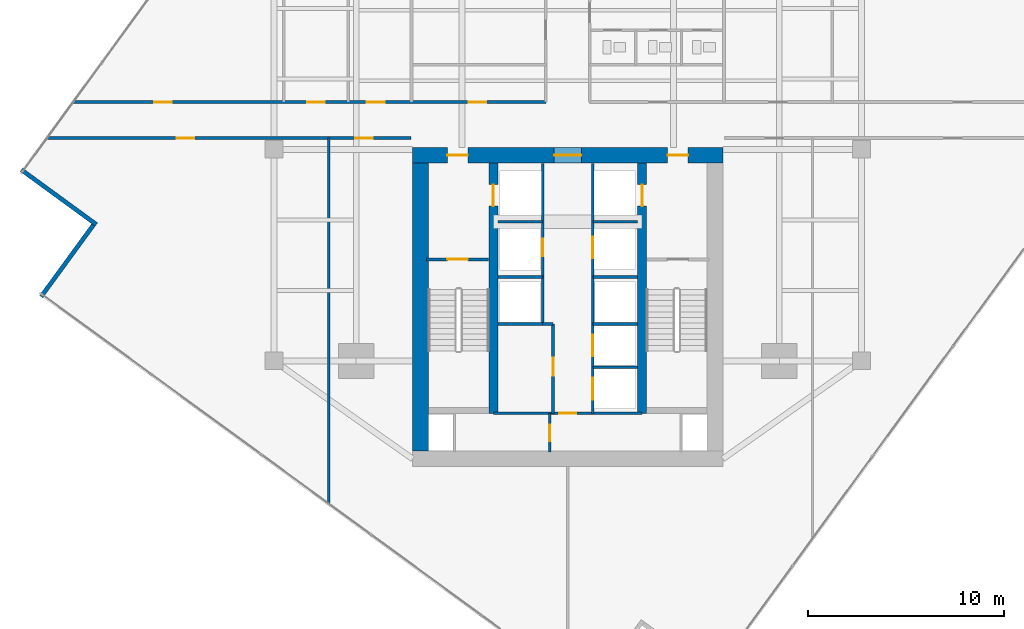
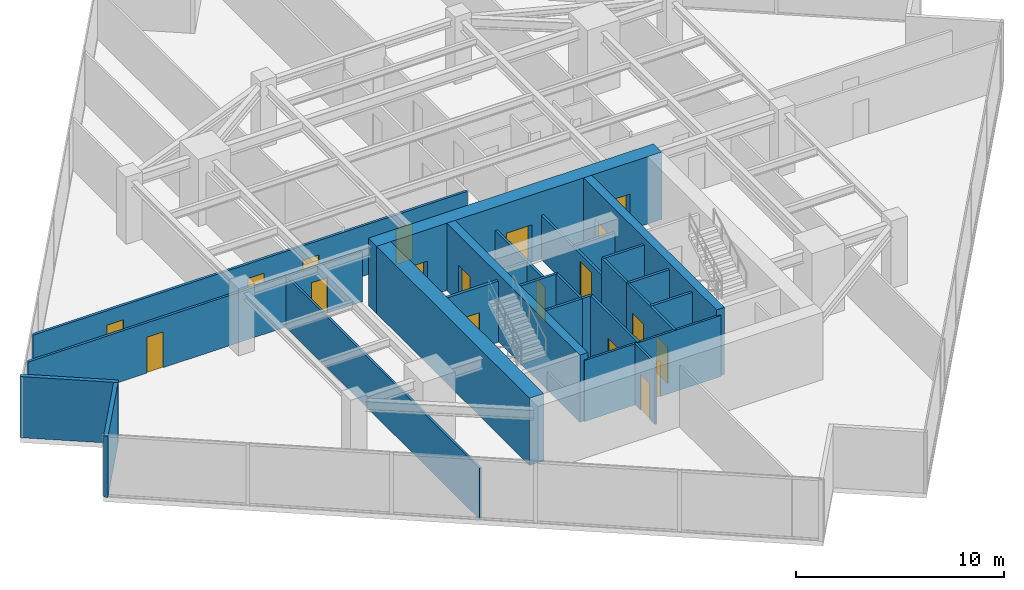
# One storey, part 21 of 25: 26 walls, 19 doors, 19 openings.
"""IFC4 building model written with IfcOpenShell, lengths in metres."""

from ifc_helpers import new_model, si_unit, direction, frame, frame_2d, origin, place, context, subcontext, project, spatial, rectangle, extrude, material, layer, layer_set, type_object, element, fill, save


model = new_model("IFC4")

# Units and contexts
model_context = context("Model", 3, precision=1e-05, world=origin(), true_north=direction((0.0, 1.0)))
body_context = subcontext(model_context, "Body", "Model", "MODEL_VIEW")
ifc_project = project(units=[si_unit("LENGTHUNIT", "METRE"), si_unit("AREAUNIT", "SQUARE_METRE"), si_unit("VOLUMEUNIT", "CUBIC_METRE"), si_unit("PLANEANGLEUNIT", "RADIAN"), si_unit("MASSUNIT", "GRAM", prefix="KILO")], contexts=[model_context])

# Site, building, storey
site_placement = place(None, origin())
site = spatial("IfcSite", under=ifc_project, at=site_placement, CompositionType="ELEMENT")
building_placement = place(site_placement, origin())
building = spatial("IfcBuilding", under=site, at=building_placement, Name="Krantzveldt Concourse Tower", CompositionType="ELEMENT")
storey_placement = place(building_placement, frame((0.0, 0.0, 197.550048828125)))
storey = spatial("IfcBuildingStorey", under=building, at=storey_placement, Name="L48", CompositionType="ELEMENT", Elevation=197.550048828125)

# Walls
ifc_material_1 = material(Name="Anodised aluminium 6063-T6", Category="aluminium")
ifc_layer_1 = layer(ifc_material_1, 0.219970703125, Name="Anodised aluminium 6063-T6", Category="aluminium")
ifc_layer_set_1 = layer_set([ifc_layer_1], Name="Anodised aluminium 6063-T6 (WL-EXT-NOTCH220)")
wall_type_1 = type_object("IfcWallType", Name="WL-EXT-NOTCH220", PredefinedType="ELEMENTEDWALL", material=ifc_layer_set_1)
wall_1_placement = place(storey_placement, frame((8.09716796875, 25.66015625, 0.0), z_axis=(0.0, 0.0, 1.0), x_axis=(0.807742607871, -0.589535308044, 0.0)))
element("IfcWall", 1, at=wall_1_placement, inside=storey, type_object=wall_type_1, Name="EW-L48-NCH02", PredefinedType="ELEMENTEDWALL", context=body_context, shape_type="SweptSolid", body=[
    extrude(rectangle(XDim=4.7451171875, YDim=0.219970703125, at=frame_2d((2.37255859375, 0.0))), origin(), (0.0, 0.0, 1.0), 3.58984375),
])
wall_2_placement = place(storey_placement, frame((11.776123046875, 22.8388671875, 0.0), z_axis=(0.0, 0.0, 1.0), x_axis=(-0.589547091209, -0.807734007732, 0.0)))
element("IfcWall", 2, at=wall_2_placement, inside=storey, type_object=wall_type_1, Name="EW-L48-NCH03", PredefinedType="ELEMENTEDWALL", context=body_context, shape_type="SweptSolid", body=[
    extrude(rectangle(XDim=4.525146484375, YDim=0.219970703125, at=frame_2d((2.2626953125, 0.0))), origin(), (0.0, 0.0, 1.0), 3.58984375),
])

# Wall, opening, door
ifc_material_2 = material(Name="Fire-rated gypsum plasterboard on steel stud", Category="steel")
ifc_layer_2 = layer(ifc_material_2, 0.1201171875, Name="Fire-rated gypsum plasterboard on steel stud", Category="steel")
ifc_layer_set_2 = layer_set([ifc_layer_2], Name="Fire-rated gypsum plasterboard on steel stud (WL-PART-120)")
wall_type_2 = type_object("IfcWallType", Name="WL-PART-120", PredefinedType="PARTITIONING", material=ifc_layer_set_2)
wall_3_placement = place(storey_placement, frame((32.2099609375, 13.219970703125, 0.0), z_axis=(0.0, 0.0, 1.0), x_axis=(1.0, 0.0, 0.0)))
wall_3 = element("IfcWall", 3, at=wall_3_placement, inside=storey, type_object=wall_type_2, Name="WP-L48-CS2H", PredefinedType="PARTITIONING", context=body_context, shape_type="SweptSolid", body=[
    extrude(rectangle(XDim=7.580078125, YDim=0.1201171875, at=frame_2d((3.7900390625, 0.0))), origin(), (0.0, 0.0, 1.0), 3.58984375),
])
opening_1_placement = place(wall_3_placement, frame((3.364990234375, 0.0, 0.0)))
opening_1 = element("IfcOpeningElement", 4, at=opening_1_placement, cuts=wall_3, Name="Opening D-IN085", PredefinedType="OPENING", context=body_context, shape_type="SweptSolid", body=[
    extrude(rectangle(XDim=0.85009765625, YDim=2.10009765625, at=frame_2d((0.425048828125, 1.050048828125))), frame((0.0, 0.070068359375, 0.0), z_axis=(0.0, -1.0, 0.0), x_axis=(1.0, 0.0, 0.0)), (0.0, 0.0, 1.0), 0.14013671875),
])
ifc_material_3 = material(Name="Hardwood timber", Category="wood")
door_type_1 = type_object("IfcDoorType", Name="DR-INT-850", OperationType="SINGLE_SWING_LEFT", PredefinedType="DOOR", material=ifc_material_3)
door_1_placement = place(opening_1_placement, origin())
door_1 = element("IfcDoor", 5, at=door_1_placement, inside=storey, type_object=door_type_1, Name="DR-L48-LLBS", OperationType="SINGLE_SWING_RIGHT", OverallHeight=2.10009765625, OverallWidth=0.85009765625, PredefinedType="DOOR", context=body_context, shape_type="SweptSolid", body=[
    extrude(rectangle(XDim=0.85009765625, YDim=2.10009765625, at=frame_2d((0.425048828125, 1.050048828125))), frame((0.0, 0.02490234375, 0.0), z_axis=(0.0, -1.0, 0.0), x_axis=(1.0, 0.0, 0.0)), (0.0, 0.0, 1.0), 0.050048828125),
])
fill(opening_1, door_1)

wall_4_placement = place(storey_placement, frame((35.080078125, 11.25, 0.0), z_axis=(0.0, 0.0, 1.0), x_axis=(0.0, 1.0, 0.0)))
wall_4 = element("IfcWall", 6, at=wall_4_placement, inside=storey, type_object=wall_type_2, Name="WP-L48-CSA-V", PredefinedType="PARTITIONING", context=body_context, shape_type="SweptSolid", body=[
    extrude(rectangle(XDim=1.969970703125, YDim=0.1201171875, at=frame_2d((0.98486328125, 0.0))), origin(), (0.0, 0.0, 1.0), 3.58984375),
])
opening_2_placement = place(wall_4_placement, frame((0.544921875, 0.0, 0.0)))
opening_2 = element("IfcOpeningElement", 7, at=opening_2_placement, cuts=wall_4, Name="Opening D-IN085", PredefinedType="OPENING", context=body_context, shape_type="SweptSolid", body=[
    extrude(rectangle(XDim=0.85009765625, YDim=2.10009765625, at=frame_2d((0.425048828125, 1.050048828125))), frame((0.0, 0.070068359375, 0.0), z_axis=(0.0, -1.0, 0.0), x_axis=(1.0, 0.0, 0.0)), (0.0, 0.0, 1.0), 0.14013671875),
])
door_2_placement = place(opening_2_placement, origin())
door_2 = element("IfcDoor", 8, at=door_2_placement, inside=storey, type_object=door_type_1, Name="DR-L48-CSA1", OperationType="SINGLE_SWING_LEFT", OverallHeight=2.10009765625, OverallWidth=0.85009765625, PredefinedType="DOOR", context=body_context, shape_type="SweptSolid", body=[
    extrude(rectangle(XDim=0.85009765625, YDim=2.10009765625, at=frame_2d((0.425048828125, 1.050048828125))), frame((0.0, 0.02490234375, 0.0), z_axis=(0.0, -1.0, 0.0), x_axis=(1.0, 0.0, 0.0)), (0.0, 0.0, 1.0), 0.050048828125),
])
fill(opening_2, door_2)

# Wall
wall_5_placement = place(storey_placement, frame((23.800048828125, 8.60302734375, 0.0), z_axis=(0.0, 0.0, 1.0), x_axis=(0.0, 1.0, 0.0)))
element("IfcWall", 9, at=wall_5_placement, inside=storey, type_object=wall_type_2, Name="WP-L48-SWX1", PredefinedType="PARTITIONING", context=body_context, shape_type="SweptSolid", body=[
    extrude(rectangle(XDim=18.677001953125, YDim=0.1201171875, at=frame_2d((9.33837890625, 0.0))), origin(), (0.0, 0.0, 1.0), 3.0),
])

# Wall, openings, doors
ifc_layer_3 = layer(ifc_material_2, 0.139892578125, Name="Fire-rated gypsum plasterboard on steel stud", Category="steel")
ifc_layer_set_3 = layer_set([ifc_layer_3], Name="Fire-rated gypsum plasterboard on steel stud (WL-PART-140)")
wall_type_3 = type_object("IfcWallType", Name="WL-PART-140", PredefinedType="PARTITIONING", material=ifc_layer_set_3)
wall_6_placement = place(storey_placement, frame((10.764892578125, 29.1201171875, 0.0), z_axis=(0.0, 0.0, 1.0), x_axis=(1.0, 0.0, 0.0)))
wall_6 = element("IfcWall", 10, at=wall_6_placement, inside=storey, type_object=wall_type_3, Name="WP-L48-EWNL", PredefinedType="PARTITIONING", context=body_context, shape_type="SweptSolid", body=[
    extrude(rectangle(XDim=24.114990234375, YDim=0.139892578125, at=frame_2d((12.0576171875, 0.0))), origin(), (0.0, 0.0, 1.0), 2.949951171875),
])
opening_3_placement = place(wall_6_placement, frame((20.185302734375, 0.0, 0.0)))
opening_3 = element("IfcOpeningElement", 11, at=opening_3_placement, cuts=wall_6, Name="Opening D-IN090", PredefinedType="OPENING", context=body_context, shape_type="SweptSolid", body=[
    extrude(rectangle(XDim=0.89990234375, YDim=2.10009765625, at=frame_2d((0.449951171875, 1.050048828125))), frame((0.0, 0.080078125, 0.0), z_axis=(0.0, -1.0, 0.0), x_axis=(1.0, 0.0, 0.0)), (0.0, 0.0, 1.0), 0.159912109375),
])
opening_4_placement = place(wall_6_placement, frame((4.115234375, 0.0, 0.0)))
opening_4 = element("IfcOpeningElement", 12, at=opening_4_placement, cuts=wall_6, Name="Opening D-IN090", PredefinedType="OPENING", context=body_context, shape_type="SweptSolid", body=[
    extrude(rectangle(XDim=0.89990234375, YDim=2.10009765625, at=frame_2d((0.449951171875, 1.050048828125))), frame((0.0, 0.080078125, 0.0), z_axis=(0.0, -1.0, 0.0), x_axis=(1.0, 0.0, 0.0)), (0.0, 0.0, 1.0), 0.159912109375),
])
opening_5_placement = place(wall_6_placement, frame((11.935302734375, 0.0, 0.0)))
opening_5 = element("IfcOpeningElement", 13, at=opening_5_placement, cuts=wall_6, Name="Opening D-IN090", PredefinedType="OPENING", context=body_context, shape_type="SweptSolid", body=[
    extrude(rectangle(XDim=0.89990234375, YDim=2.10009765625, at=frame_2d((0.449951171875, 1.050048828125))), frame((0.0, 0.080078125, 0.0), z_axis=(0.0, -1.0, 0.0), x_axis=(1.0, 0.0, 0.0)), (0.0, 0.0, 1.0), 0.159912109375),
])
opening_6_placement = place(wall_6_placement, frame((14.985107421875, 0.0, 0.0)))
opening_6 = element("IfcOpeningElement", 14, at=opening_6_placement, cuts=wall_6, Name="Opening D-IN090", PredefinedType="OPENING", context=body_context, shape_type="SweptSolid", body=[
    extrude(rectangle(XDim=0.89990234375, YDim=2.10009765625, at=frame_2d((0.449951171875, 1.050048828125))), frame((0.0, 0.080078125, 0.0), z_axis=(0.0, -1.0, 0.0), x_axis=(1.0, 0.0, 0.0)), (0.0, 0.0, 1.0), 0.159912109375),
])
door_type_2 = type_object("IfcDoorType", Name="DR-INT-900", OperationType="SINGLE_SWING_LEFT", PredefinedType="DOOR", material=ifc_material_3)
door_3_placement = place(opening_3_placement, origin())
door_3 = element("IfcDoor", 15, at=door_3_placement, inside=storey, type_object=door_type_2, Name="DR-L48-ALCL", OperationType="SINGLE_SWING_LEFT", OverallHeight=2.10009765625, OverallWidth=0.89990234375, PredefinedType="DOOR", context=body_context, shape_type="SweptSolid", body=[
    extrude(rectangle(XDim=0.89990234375, YDim=2.10009765625, at=frame_2d((0.449951171875, 1.050048828125))), frame((0.0, 0.02490234375, 0.0), z_axis=(0.0, -1.0, 0.0), x_axis=(1.0, 0.0, 0.0)), (0.0, 0.0, 1.0), 0.050048828125),
])
fill(opening_3, door_3)
door_4_placement = place(opening_4_placement, origin())
door_4 = element("IfcDoor", 16, at=door_4_placement, inside=storey, type_object=door_type_2, Name="DR-L48-NWX1", OperationType="SINGLE_SWING_LEFT", OverallHeight=2.10009765625, OverallWidth=0.89990234375, PredefinedType="DOOR", context=body_context, shape_type="SweptSolid", body=[
    extrude(rectangle(XDim=0.89990234375, YDim=2.10009765625, at=frame_2d((0.449951171875, 1.050048828125))), frame((0.0, 0.02490234375, 0.0), z_axis=(0.0, -1.0, 0.0), x_axis=(1.0, 0.0, 0.0)), (0.0, 0.0, 1.0), 0.050048828125),
])
fill(opening_4, door_4)
door_5_placement = place(opening_5_placement, origin())
door_5 = element("IfcDoor", 17, at=door_5_placement, inside=storey, type_object=door_type_2, Name="DR-L48-NWX2", OperationType="SINGLE_SWING_LEFT", OverallHeight=2.10009765625, OverallWidth=0.89990234375, PredefinedType="DOOR", context=body_context, shape_type="SweptSolid", body=[
    extrude(rectangle(XDim=0.89990234375, YDim=2.10009765625, at=frame_2d((0.449951171875, 1.050048828125))), frame((0.0, 0.02490234375, 0.0), z_axis=(0.0, -1.0, 0.0), x_axis=(1.0, 0.0, 0.0)), (0.0, 0.0, 1.0), 0.050048828125),
])
fill(opening_5, door_5)
door_6_placement = place(opening_6_placement, origin())
door_6 = element("IfcDoor", 18, at=door_6_placement, inside=storey, type_object=door_type_2, Name="DR-L48-NWX3", OperationType="SINGLE_SWING_LEFT", OverallHeight=2.10009765625, OverallWidth=0.89990234375, PredefinedType="DOOR", context=body_context, shape_type="SweptSolid", body=[
    extrude(rectangle(XDim=0.89990234375, YDim=2.10009765625, at=frame_2d((0.449951171875, 1.050048828125))), frame((0.0, 0.02490234375, 0.0), z_axis=(0.0, -1.0, 0.0), x_axis=(1.0, 0.0, 0.0)), (0.0, 0.0, 1.0), 0.050048828125),
])
fill(opening_6, door_6)

wall_7_placement = place(storey_placement, frame((9.421875, 27.280029296875, 0.0), z_axis=(0.0, 0.0, 1.0), x_axis=(1.0, 0.0, 0.0)))
wall_7 = element("IfcWall", 19, at=wall_7_placement, inside=storey, type_object=wall_type_3, Name="WP-L48-EWSL", PredefinedType="PARTITIONING", context=body_context, shape_type="SweptSolid", body=[
    extrude(rectangle(XDim=18.578125, YDim=0.139892578125, at=frame_2d((9.2890625, 0.0))), origin(), (0.0, 0.0, 1.0), 2.949951171875),
])
opening_7_placement = place(wall_7_placement, frame((6.608154296875, 0.0, 0.0)))
opening_7 = element("IfcOpeningElement", 20, at=opening_7_placement, cuts=wall_7, Name="Opening D-IN090", PredefinedType="OPENING", context=body_context, shape_type="SweptSolid", body=[
    extrude(rectangle(XDim=0.89990234375, YDim=2.10009765625, at=frame_2d((0.449951171875, 1.050048828125))), frame((0.0, 0.080078125, 0.0), z_axis=(0.0, -1.0, 0.0), x_axis=(1.0, 0.0, 0.0)), (0.0, 0.0, 1.0), 0.159912109375),
])
opening_8_placement = place(wall_7_placement, frame((15.728271484375, 0.0, 0.0)))
opening_8 = element("IfcOpeningElement", 21, at=opening_8_placement, cuts=wall_7, Name="Opening D-IN090", PredefinedType="OPENING", context=body_context, shape_type="SweptSolid", body=[
    extrude(rectangle(XDim=0.89990234375, YDim=2.10009765625, at=frame_2d((0.449951171875, 1.050048828125))), frame((0.0, 0.080078125, 0.0), z_axis=(0.0, -1.0, 0.0), x_axis=(1.0, 0.0, 0.0)), (0.0, 0.0, 1.0), 0.159912109375),
])
door_7_placement = place(opening_7_placement, origin())
door_7 = element("IfcDoor", 22, at=door_7_placement, inside=storey, type_object=door_type_2, Name="DR-L48-SWX1", OperationType="SINGLE_SWING_LEFT", OverallHeight=2.10009765625, OverallWidth=0.89990234375, PredefinedType="DOOR", context=body_context, shape_type="SweptSolid", body=[
    extrude(rectangle(XDim=0.89990234375, YDim=2.10009765625, at=frame_2d((0.449951171875, 1.050048828125))), frame((0.0, 0.02490234375, 0.0), z_axis=(0.0, -1.0, 0.0), x_axis=(1.0, 0.0, 0.0)), (0.0, 0.0, 1.0), 0.050048828125),
])
fill(opening_7, door_7)
door_8_placement = place(opening_8_placement, origin())
door_8 = element("IfcDoor", 23, at=door_8_placement, inside=storey, type_object=door_type_2, Name="DR-L48-SWX2", OperationType="SINGLE_SWING_LEFT", OverallHeight=2.10009765625, OverallWidth=0.89990234375, PredefinedType="DOOR", context=body_context, shape_type="SweptSolid", body=[
    extrude(rectangle(XDim=0.89990234375, YDim=2.10009765625, at=frame_2d((0.449951171875, 1.050048828125))), frame((0.0, 0.02490234375, 0.0), z_axis=(0.0, -1.0, 0.0), x_axis=(1.0, 0.0, 0.0)), (0.0, 0.0, 1.0), 0.050048828125),
])
fill(opening_8, door_8)

# Wall, opening, door
ifc_layer_4 = layer(ifc_material_2, 0.139892578125, Name="Fire-rated gypsum plasterboard on steel stud", Category="steel")
ifc_layer_set_4 = layer_set([ifc_layer_4], Name="Fire-rated gypsum plasterboard on steel stud (WL-PART-FR140)")
wall_type_4 = type_object("IfcWallType", Name="WL-PART-FR140", PredefinedType="PARTITIONING", material=ifc_layer_set_4)
wall_8_placement = place(storey_placement, frame((34.719970703125, 20.199951171875, 0.0), z_axis=(0.0, 0.0, 1.0), x_axis=(0.0, 1.0, 0.0)))
wall_8 = element("IfcWall", 24, at=wall_8_placement, inside=storey, type_object=wall_type_4, Name="WP-L48-SHNW", PredefinedType="PARTITIONING", context=body_context, shape_type="SweptSolid", body=[
    extrude(rectangle(XDim=5.780029296875, YDim=0.139892578125, at=frame_2d((2.89013671875, 0.0))), origin(), (0.0, 0.0, 1.0), 2.58984375),
])
opening_9_placement = place(wall_8_placement, frame((1.050048828125, 0.0, 0.0)))
opening_9 = element("IfcOpeningElement", 25, at=opening_9_placement, cuts=wall_8, Name="Opening D-FD090", PredefinedType="OPENING", context=body_context, shape_type="SweptSolid", body=[
    extrude(rectangle(XDim=0.89990234375, YDim=2.10009765625, at=frame_2d((0.449951171875, 1.050048828125))), frame((0.0, 0.080078125, 0.0), z_axis=(0.0, -1.0, 0.0), x_axis=(1.0, 0.0, 0.0)), (0.0, 0.0, 1.0), 0.159912109375),
])
door_type_3 = type_object("IfcDoorType", Name="DR-FD60-900", OperationType="SINGLE_SWING_LEFT", PredefinedType="DOOR", material=ifc_material_3)
door_9_placement = place(opening_9_placement, origin())
door_9 = element("IfcDoor", 26, at=door_9_placement, inside=storey, type_object=door_type_3, Name="Electrical Riser Access Door L48", OperationType="SINGLE_SWING_LEFT", OverallHeight=2.10009765625, OverallWidth=0.89990234375, PredefinedType="DOOR", context=body_context, shape_type="SweptSolid", body=[
    extrude(rectangle(XDim=0.89990234375, YDim=2.10009765625, at=frame_2d((0.449951171875, 1.050048828125))), frame((0.0, 0.02490234375, 0.0), z_axis=(0.0, -1.0, 0.0), x_axis=(1.0, 0.0, 0.0)), (0.0, 0.0, 1.0), 0.050048828125),
])
fill(opening_9, door_9)

wall_9_placement = place(storey_placement, frame((37.280029296875, 20.199951171875, 0.0), z_axis=(0.0, 0.0, 1.0), x_axis=(0.0, 1.0, 0.0)))
wall_9 = element("IfcWall", 27, at=wall_9_placement, inside=storey, type_object=wall_type_4, Name="WP-L48-SHNE", PredefinedType="PARTITIONING", context=body_context, shape_type="SweptSolid", body=[
    extrude(rectangle(XDim=5.780029296875, YDim=0.139892578125, at=frame_2d((2.89013671875, 0.0))), origin(), (0.0, 0.0, 1.0), 2.58984375),
])
opening_10_placement = place(wall_9_placement, frame((0.949951171875, 0.0, 0.0)))
opening_10 = element("IfcOpeningElement", 28, at=opening_10_placement, cuts=wall_9, Name="Opening LD", PredefinedType="OPENING", context=body_context, shape_type="SweptSolid", body=[
    extrude(rectangle(XDim=1.10009765625, YDim=2.14990234375, at=frame_2d((0.550048828125, 1.074951171875))), frame((0.0, 0.080078125, 0.0), z_axis=(0.0, -1.0, 0.0), x_axis=(1.0, 0.0, 0.0)), (0.0, 0.0, 1.0), 0.159912109375),
])
ifc_material_4 = material(Name="Stainless steel 316L", Category="steel")
door_type_4 = type_object("IfcDoorType", Name="DR-SLIDE-LD1100", OperationType="DOUBLE_DOOR_SLIDING", PredefinedType="DOOR", material=ifc_material_4)
door_10_placement = place(opening_10_placement, origin())
door_10 = element("IfcDoor", 29, at=door_10_placement, inside=storey, type_object=door_type_4, Name="LD-L48-GL1", OperationType="DOUBLE_DOOR_SLIDING", OverallHeight=2.14990234375, OverallWidth=1.10009765625, PredefinedType="DOOR", context=body_context, shape_type="SweptSolid", body=[
    extrude(rectangle(XDim=1.10009765625, YDim=2.14990234375, at=frame_2d((0.550048828125, 1.074951171875))), frame((0.0, 0.02490234375, 0.0), z_axis=(0.0, -1.0, 0.0), x_axis=(1.0, 0.0, 0.0)), (0.0, 0.0, 1.0), 0.050048828125),
])
fill(opening_10, door_10)

# Walls
for number, where, z_axis, x_axis, name in (
    (30, (32.449951171875, 23.0, 0.0), (0.0, 0.0, 1.0), (1.0, 0.0, 0.0), "WP-L48-RISH"),
    (31, (37.280029296875, 23.0, 0.0), (0.0, 0.0, 1.0), (1.0, 0.0, 0.0), "WP-L48-GLH"),
):
    element("IfcWall", number, at=place(storey_placement, frame(where, z_axis=z_axis, x_axis=x_axis)), inside=storey, type_object=wall_type_4, Name=name, PredefinedType="PARTITIONING", context=body_context, shape_type="SweptSolid", body=[
        extrude(rectangle(XDim=2.27001953125, YDim=0.139892578125, at=frame_2d((1.135009765625, 0.0))), origin(), (0.0, 0.0, 1.0), 2.58984375),
    ])
for number, where, z_axis, x_axis, name in (
    (32, (34.719970703125, 17.780029296875, 0.0), (0.0, 0.0, 1.0), (0.0, 1.0, 0.0), "WP-L48-SHNW2"),
    (33, (37.280029296875, 17.780029296875, 0.0), (0.0, 0.0, 1.0), (0.0, 1.0, 0.0), "WP-L48-SHNE2"),
):
    element("IfcWall", number, at=place(storey_placement, frame(where, z_axis=z_axis, x_axis=x_axis)), inside=storey, type_object=wall_type_4, Name=name, PredefinedType="PARTITIONING", context=body_context, shape_type="SweptSolid", body=[
        extrude(rectangle(XDim=2.419921875, YDim=0.139892578125, at=frame_2d((1.2099609375, 0.0))), origin(), (0.0, 0.0, 1.0), 3.58984375),
    ])
for number, where, z_axis, x_axis, name in (
    (34, (32.449951171875, 17.780029296875, 0.0), (0.0, 0.0, 1.0), (1.0, 0.0, 0.0), "WP-L48-DIVW2"),
    (35, (32.449951171875, 20.179931640625, 0.0), (0.0, 0.0, 1.0), (1.0, 0.0, 0.0), "WP-L48-DIVW3"),
    (36, (37.280029296875, 17.780029296875, 0.0), (0.0, 0.0, 1.0), (1.0, 0.0, 0.0), "WP-L48-DIVE2"),
    (37, (37.280029296875, 20.179931640625, 0.0), (0.0, 0.0, 1.0), (1.0, 0.0, 0.0), "WP-L48-DIVE3"),
):
    element("IfcWall", number, at=place(storey_placement, frame(where, z_axis=z_axis, x_axis=x_axis)), inside=storey, type_object=wall_type_4, Name=name, PredefinedType="PARTITIONING", context=body_context, shape_type="SweptSolid", body=[
        extrude(rectangle(XDim=2.27001953125, YDim=0.139892578125, at=frame_2d((1.135009765625, 0.0))), origin(), (0.0, 0.0, 1.0), 3.58984375),
    ])

# Wall, opening, door
wall_10_placement = place(storey_placement, frame((35.25, 13.219970703125, 0.0), z_axis=(0.0, 0.0, 1.0), x_axis=(0.0, 1.0, 0.0)))
wall_10 = element("IfcWall", 38, at=wall_10_placement, inside=storey, type_object=wall_type_4, Name="WP-L48-RECW", PredefinedType="PARTITIONING", context=body_context, shape_type="SweptSolid", body=[
    extrude(rectangle(XDim=4.56005859375, YDim=0.139892578125, at=frame_2d((2.280029296875, 0.0))), origin(), (0.0, 0.0, 1.0), 3.58984375),
])
opening_11_placement = place(wall_10_placement, frame((1.929931640625, 0.0, 0.0)))
opening_11 = element("IfcOpeningElement", 39, at=opening_11_placement, cuts=wall_10, Name="Opening D-FD090", PredefinedType="OPENING", context=body_context, shape_type="SweptSolid", body=[
    extrude(rectangle(XDim=0.89990234375, YDim=2.10009765625, at=frame_2d((0.449951171875, 1.050048828125))), frame((0.0, 0.080078125, 0.0), z_axis=(0.0, -1.0, 0.0), x_axis=(1.0, 0.0, 0.0)), (0.0, 0.0, 1.0), 0.159912109375),
])
door_11_placement = place(opening_11_placement, origin())
door_11 = element("IfcDoor", 40, at=door_11_placement, inside=storey, type_object=door_type_3, Name="DR-L48-RECW", OperationType="SINGLE_SWING_LEFT", OverallHeight=2.10009765625, OverallWidth=0.89990234375, PredefinedType="DOOR", context=body_context, shape_type="SweptSolid", body=[
    extrude(rectangle(XDim=0.89990234375, YDim=2.10009765625, at=frame_2d((0.449951171875, 1.050048828125))), frame((0.0, 0.02490234375, 0.0), z_axis=(0.0, -1.0, 0.0), x_axis=(1.0, 0.0, 0.0)), (0.0, 0.0, 1.0), 0.050048828125),
])
fill(opening_11, door_11)

# Wall
wall_11_placement = place(storey_placement, frame((34.719970703125, 17.780029296875, 0.0), z_axis=(0.0, 0.0, 1.0), x_axis=(1.0, 0.0, 0.0)))
element("IfcWall", 41, at=wall_11_placement, inside=storey, type_object=wall_type_4, Name="WP-L48-RECWN", PredefinedType="PARTITIONING", context=body_context, shape_type="SweptSolid", body=[
    extrude(rectangle(XDim=0.530029296875, YDim=0.139892578125, at=frame_2d((0.26513671875, 0.0))), origin(), (0.0, 0.0, 1.0), 3.58984375),
])

# Wall, openings, doors
wall_12_placement = place(storey_placement, frame((37.280029296875, 13.219970703125, 0.0), z_axis=(0.0, 0.0, 1.0), x_axis=(0.0, 1.0, 0.0)))
wall_12 = element("IfcWall", 42, at=wall_12_placement, inside=storey, type_object=wall_type_4, Name="WP-L48-SHSE", PredefinedType="PARTITIONING", context=body_context, shape_type="SweptSolid", body=[
    extrude(rectangle(XDim=4.56005859375, YDim=0.139892578125, at=frame_2d((2.280029296875, 0.0))), origin(), (0.0, 0.0, 1.0), 3.58984375),
])
opening_12_placement = place(wall_12_placement, frame((0.7099609375, 0.0, 0.0)))
opening_12 = element("IfcOpeningElement", 43, at=opening_12_placement, cuts=wall_12, Name="Opening LD", PredefinedType="OPENING", context=body_context, shape_type="SweptSolid", body=[
    extrude(rectangle(XDim=1.10009765625, YDim=2.14990234375, at=frame_2d((0.550048828125, 1.074951171875))), frame((0.0, 0.080078125, 0.0), z_axis=(0.0, -1.0, 0.0), x_axis=(1.0, 0.0, 0.0)), (0.0, 0.0, 1.0), 0.159912109375),
])
opening_13_placement = place(wall_12_placement, frame((2.909912109375, 0.0, 0.0)))
opening_13 = element("IfcOpeningElement", 44, at=opening_13_placement, cuts=wall_12, Name="Opening LD", PredefinedType="OPENING", context=body_context, shape_type="SweptSolid", body=[
    extrude(rectangle(XDim=1.10009765625, YDim=2.14990234375, at=frame_2d((0.550048828125, 1.074951171875))), frame((0.0, 0.080078125, 0.0), z_axis=(0.0, -1.0, 0.0), x_axis=(1.0, 0.0, 0.0)), (0.0, 0.0, 1.0), 0.159912109375),
])
door_12_placement = place(opening_12_placement, origin())
door_12 = element("IfcDoor", 45, at=door_12_placement, inside=storey, type_object=door_type_4, Name="LD-L48-PM1", OperationType="DOUBLE_DOOR_SLIDING", OverallHeight=2.14990234375, OverallWidth=1.10009765625, PredefinedType="DOOR", context=body_context, shape_type="SweptSolid", body=[
    extrude(rectangle(XDim=1.10009765625, YDim=2.14990234375, at=frame_2d((0.550048828125, 1.074951171875))), frame((0.0, 0.02490234375, 0.0), z_axis=(0.0, -1.0, 0.0), x_axis=(1.0, 0.0, 0.0)), (0.0, 0.0, 1.0), 0.050048828125),
])
fill(opening_12, door_12)
door_13_placement = place(opening_13_placement, origin())
door_13 = element("IfcDoor", 46, at=door_13_placement, inside=storey, type_object=door_type_4, Name="LD-L48-PM2", OperationType="DOUBLE_DOOR_SLIDING", OverallHeight=2.14990234375, OverallWidth=1.10009765625, PredefinedType="DOOR", context=body_context, shape_type="SweptSolid", body=[
    extrude(rectangle(XDim=1.10009765625, YDim=2.14990234375, at=frame_2d((0.550048828125, 1.074951171875))), frame((0.0, 0.02490234375, 0.0), z_axis=(0.0, -1.0, 0.0), x_axis=(1.0, 0.0, 0.0)), (0.0, 0.0, 1.0), 0.050048828125),
])
fill(opening_13, door_13)

# Wall
wall_13_placement = place(storey_placement, frame((37.280029296875, 15.580078125, 0.0), z_axis=(0.0, 0.0, 1.0), x_axis=(1.0, 0.0, 0.0)))
element("IfcWall", 47, at=wall_13_placement, inside=storey, type_object=wall_type_4, Name="WP-L48-DIVE1", PredefinedType="PARTITIONING", context=body_context, shape_type="SweptSolid", body=[
    extrude(rectangle(XDim=2.27001953125, YDim=0.139892578125, at=frame_2d((1.135009765625, 0.0))), origin(), (0.0, 0.0, 1.0), 3.58984375),
])

# Wall, opening, door
ifc_layer_5 = layer(ifc_material_2, 0.159912109375, Name="Fire-rated gypsum plasterboard on steel stud", Category="steel")
ifc_layer_set_5 = layer_set([ifc_layer_5], Name="Fire-rated gypsum plasterboard on steel stud (WL-PART-FR160)")
wall_type_5 = type_object("IfcWallType", Name="WL-PART-FR160", PredefinedType="PARTITIONING", material=ifc_layer_set_5)
wall_14_placement = place(storey_placement, frame((28.800048828125, 21.080078125, 0.0), z_axis=(0.0, 0.0, 1.0), x_axis=(1.0, 0.0, 0.0)))
wall_14 = element("IfcWall", 48, at=wall_14_placement, inside=storey, type_object=wall_type_5, Name="WP-L48-ST1", PredefinedType="PARTITIONING", context=body_context, shape_type="SweptSolid", body=[
    extrude(rectangle(XDim=3.159912109375, YDim=0.159912109375, at=frame_2d((1.580078125, 0.0))), origin(), (0.0, 0.0, 1.0), 3.58984375),
])
opening_14_placement = place(wall_14_placement, frame((1.054931640625, 0.0, 0.0)))
opening_14 = element("IfcOpeningElement", 49, at=opening_14_placement, cuts=wall_14, Name="Opening D-FD105", PredefinedType="OPENING", context=body_context, shape_type="SweptSolid", body=[
    extrude(rectangle(XDim=1.050048828125, YDim=2.10009765625, at=frame_2d((0.52490234375, 1.050048828125))), frame((0.0, 0.08984375, 0.0), z_axis=(0.0, -1.0, 0.0), x_axis=(1.0, 0.0, 0.0)), (0.0, 0.0, 1.0), 0.179931640625),
])
ifc_material_5 = material(Name="Galvanised steel", Category="steel")
door_type_5 = type_object("IfcDoorType", Name="DR-FD120-1050", OperationType="SINGLE_SWING_LEFT", PredefinedType="DOOR", material=ifc_material_5)
door_14_placement = place(opening_14_placement, origin())
door_14 = element("IfcDoor", 50, at=door_14_placement, inside=storey, type_object=door_type_5, Name="DR-L48-ST1", OperationType="SINGLE_SWING_RIGHT", OverallHeight=2.10009765625, OverallWidth=1.050048828125, PredefinedType="DOOR", context=body_context, shape_type="SweptSolid", body=[
    extrude(rectangle(XDim=1.050048828125, YDim=2.10009765625, at=frame_2d((0.52490234375, 1.050048828125))), frame((0.0, 0.02490234375, 0.0), z_axis=(0.0, -1.0, 0.0), x_axis=(1.0, 0.0, 0.0)), (0.0, 0.0, 1.0), 0.050048828125),
])
fill(opening_14, door_14)

ifc_material_6 = material(Name="Concrete C50/60", Category="concrete")
ifc_layer_6 = layer(ifc_material_6, 0.449951171875, Name="Concrete C50/60", Category="concrete")
ifc_layer_set_6 = layer_set([ifc_layer_6], Name="Concrete C50/60 (WL-SHEAR-450)")
wall_type_6 = type_object("IfcWallType", Name="WL-SHEAR-450", PredefinedType="SHEAR", material=ifc_layer_set_6)
wall_15_placement = place(storey_placement, frame((32.205078125, 13.219970703125, 0.0), z_axis=(0.0, 0.0, 1.0), x_axis=(0.0, 1.0, 0.0)))
wall_15 = element("IfcWall", 51, at=wall_15_placement, inside=storey, type_object=wall_type_6, Name="CW-L48-IW", PredefinedType="SHEAR", context=body_context, shape_type="SweptSolid", body=[
    extrude(rectangle(XDim=12.780029296875, YDim=0.449951171875, at=frame_2d((6.39013671875, 0.0))), origin(), (0.0, 0.0, 1.0), 3.949951171875),
])
opening_15_placement = place(wall_15_placement, frame((10.580078125, 0.0, 0.0)))
opening_15 = element("IfcOpeningElement", 52, at=opening_15_placement, cuts=wall_15, Name="Opening LD", PredefinedType="OPENING", context=body_context, shape_type="SweptSolid", body=[
    extrude(rectangle(XDim=1.10009765625, YDim=2.14990234375, at=frame_2d((0.550048828125, 1.074951171875))), frame((0.0, 0.23486328125, 0.0), z_axis=(0.0, -1.0, 0.0), x_axis=(1.0, 0.0, 0.0)), (0.0, 0.0, 1.0), 0.469970703125),
])
door_15_placement = place(opening_15_placement, origin())
door_15 = element("IfcDoor", 53, at=door_15_placement, inside=storey, type_object=door_type_4, Name="LD-L48-FL1", OperationType="DOUBLE_DOOR_SLIDING", OverallHeight=2.14990234375, OverallWidth=1.10009765625, PredefinedType="DOOR", context=body_context, shape_type="SweptSolid", body=[
    extrude(rectangle(XDim=1.10009765625, YDim=2.14990234375, at=frame_2d((0.550048828125, 1.074951171875))), frame((0.0, 0.02490234375, 0.0), z_axis=(0.0, -1.0, 0.0), x_axis=(1.0, 0.0, 0.0)), (0.0, 0.0, 1.0), 0.050048828125),
])
fill(opening_15, door_15)

wall_16_placement = place(storey_placement, frame((39.794921875, 13.219970703125, 0.0), z_axis=(0.0, 0.0, 1.0), x_axis=(0.0, 1.0, 0.0)))
wall_16 = element("IfcWall", 54, at=wall_16_placement, inside=storey, type_object=wall_type_6, Name="CW-L48-IE", PredefinedType="SHEAR", context=body_context, shape_type="SweptSolid", body=[
    extrude(rectangle(XDim=12.780029296875, YDim=0.449951171875, at=frame_2d((6.39013671875, 0.0))), origin(), (0.0, 0.0, 1.0), 3.949951171875),
])
opening_16_placement = place(wall_16_placement, frame((10.580078125, 0.0, 0.0)))
opening_16 = element("IfcOpeningElement", 55, at=opening_16_placement, cuts=wall_16, Name="Opening LD", PredefinedType="OPENING", context=body_context, shape_type="SweptSolid", body=[
    extrude(rectangle(XDim=1.10009765625, YDim=2.14990234375, at=frame_2d((0.550048828125, 1.074951171875))), frame((0.0, 0.23486328125, 0.0), z_axis=(0.0, -1.0, 0.0), x_axis=(1.0, 0.0, 0.0)), (0.0, 0.0, 1.0), 0.469970703125),
])
door_16_placement = place(opening_16_placement, origin())
door_16 = element("IfcDoor", 56, at=door_16_placement, inside=storey, type_object=door_type_4, Name="LD-L48-FL2", OperationType="DOUBLE_DOOR_SLIDING", OverallHeight=2.14990234375, OverallWidth=1.10009765625, PredefinedType="DOOR", context=body_context, shape_type="SweptSolid", body=[
    extrude(rectangle(XDim=1.10009765625, YDim=2.14990234375, at=frame_2d((0.550048828125, 1.074951171875))), frame((0.0, 0.02490234375, 0.0), z_axis=(0.0, -1.0, 0.0), x_axis=(1.0, 0.0, 0.0)), (0.0, 0.0, 1.0), 0.050048828125),
])
fill(opening_16, door_16)

# Wall, openings, doors
ifc_material_7 = material(Name="Concrete C60/75", Category="concrete")
ifc_layer_7 = layer(ifc_material_7, 0.800048828125, Name="Concrete C60/75", Category="concrete")
ifc_layer_set_7 = layer_set([ifc_layer_7], Name="Concrete C60/75 (WL-SHEAR-800)")
wall_type_7 = type_object("IfcWallType", Name="WL-SHEAR-800", PredefinedType="SHEAR", material=ifc_layer_set_7)
wall_17_placement = place(storey_placement, frame((28.080078125, 26.39990234375, 0.0), z_axis=(0.0, 0.0, 1.0), x_axis=(1.0, 0.0, 0.0)))
wall_17 = element("IfcWall", 57, at=wall_17_placement, inside=storey, type_object=wall_type_7, Name="CW-L48-N", PredefinedType="SHEAR", context=body_context, shape_type="SweptSolid", body=[
    extrude(rectangle(XDim=15.83984375, YDim=0.800048828125, at=frame_2d((7.919921875, 0.0))), origin(), (0.0, 0.0, 1.0), 3.949951171875),
])
opening_17_placement = place(wall_17_placement, frame((7.219970703125, 0.0, 0.0)))
opening_17 = element("IfcOpeningElement", 58, at=opening_17_placement, cuts=wall_17, Name="Opening D-DB140", PredefinedType="OPENING", context=body_context, shape_type="SweptSolid", body=[
    extrude(rectangle(XDim=1.39990234375, YDim=2.199951171875, at=frame_2d((0.699951171875, 1.10009765625))), frame((0.0, 0.41015625, 0.0), z_axis=(0.0, -1.0, 0.0), x_axis=(1.0, 0.0, 0.0)), (0.0, 0.0, 1.0), 0.820068359375),
])
opening_18_placement = place(wall_17_placement, frame((1.77490234375, 0.0, 0.0)))
opening_18 = element("IfcOpeningElement", 59, at=opening_18_placement, cuts=wall_17, Name="Opening D-FD105", PredefinedType="OPENING", context=body_context, shape_type="SweptSolid", body=[
    extrude(rectangle(XDim=1.050048828125, YDim=2.10009765625, at=frame_2d((0.52490234375, 1.050048828125))), frame((0.0, 0.41015625, 0.0), z_axis=(0.0, -1.0, 0.0), x_axis=(1.0, 0.0, 0.0)), (0.0, 0.0, 1.0), 0.820068359375),
])
opening_19_placement = place(wall_17_placement, frame((13.014892578125, 0.0, 0.0)))
opening_19 = element("IfcOpeningElement", 60, at=opening_19_placement, cuts=wall_17, Name="Opening D-FD105", PredefinedType="OPENING", context=body_context, shape_type="SweptSolid", body=[
    extrude(rectangle(XDim=1.050048828125, YDim=2.10009765625, at=frame_2d((0.52490234375, 1.050048828125))), frame((0.0, 0.41015625, 0.0), z_axis=(0.0, -1.0, 0.0), x_axis=(1.0, 0.0, 0.0)), (0.0, 0.0, 1.0), 0.820068359375),
])
door_type_6 = type_object("IfcDoorType", Name="DR-DBL-1400", OperationType="DOUBLE_DOOR_SINGLE_SWING", PredefinedType="DOOR", material=ifc_material_1)
door_17_placement = place(opening_17_placement, origin())
door_17 = element("IfcDoor", 61, at=door_17_placement, inside=storey, type_object=door_type_6, Name="DR-L48-LLB", OperationType="DOUBLE_DOOR_SINGLE_SWING", OverallHeight=2.199951171875, OverallWidth=1.39990234375, PredefinedType="DOOR", context=body_context, shape_type="SweptSolid", body=[
    extrude(rectangle(XDim=1.39990234375, YDim=2.199951171875, at=frame_2d((0.699951171875, 1.10009765625))), frame((0.0, 0.02490234375, 0.0), z_axis=(0.0, -1.0, 0.0), x_axis=(1.0, 0.0, 0.0)), (0.0, 0.0, 1.0), 0.050048828125),
])
fill(opening_17, door_17)
door_18_placement = place(opening_18_placement, origin())
door_18 = element("IfcDoor", 62, at=door_18_placement, inside=storey, type_object=door_type_5, Name="DR-L48-FFL1", OperationType="SINGLE_SWING_LEFT", OverallHeight=2.10009765625, OverallWidth=1.050048828125, PredefinedType="DOOR", context=body_context, shape_type="SweptSolid", body=[
    extrude(rectangle(XDim=1.050048828125, YDim=2.10009765625, at=frame_2d((0.52490234375, 1.050048828125))), frame((0.0, 0.02490234375, 0.0), z_axis=(0.0, -1.0, 0.0), x_axis=(1.0, 0.0, 0.0)), (0.0, 0.0, 1.0), 0.050048828125),
])
fill(opening_18, door_18)
door_19_placement = place(opening_19_placement, origin())
door_19 = element("IfcDoor", 63, at=door_19_placement, inside=storey, type_object=door_type_5, Name="DR-L48-FFL2", OperationType="SINGLE_SWING_RIGHT", OverallHeight=2.10009765625, OverallWidth=1.050048828125, PredefinedType="DOOR", context=body_context, shape_type="SweptSolid", body=[
    extrude(rectangle(XDim=1.050048828125, YDim=2.10009765625, at=frame_2d((0.52490234375, 1.050048828125))), frame((0.0, 0.02490234375, 0.0), z_axis=(0.0, -1.0, 0.0), x_axis=(1.0, 0.0, 0.0)), (0.0, 0.0, 1.0), 0.050048828125),
])
fill(opening_19, door_19)

# Wall
wall_18_placement = place(storey_placement, frame((28.47998046875, 11.300048828125, 0.0), z_axis=(0.0, 0.0, 1.0), x_axis=(0.0, 1.0, 0.0)))
element("IfcWall", 64, at=wall_18_placement, inside=storey, type_object=wall_type_7, Name="CW-L48-W", PredefinedType="SHEAR", context=body_context, shape_type="SweptSolid", body=[
    extrude(rectangle(XDim=14.699951171875, YDim=0.800048828125, at=frame_2d((7.35009765625, 0.0))), origin(), (0.0, 0.0, 1.0), 3.949951171875),
])

save(model, "model.ifc")
